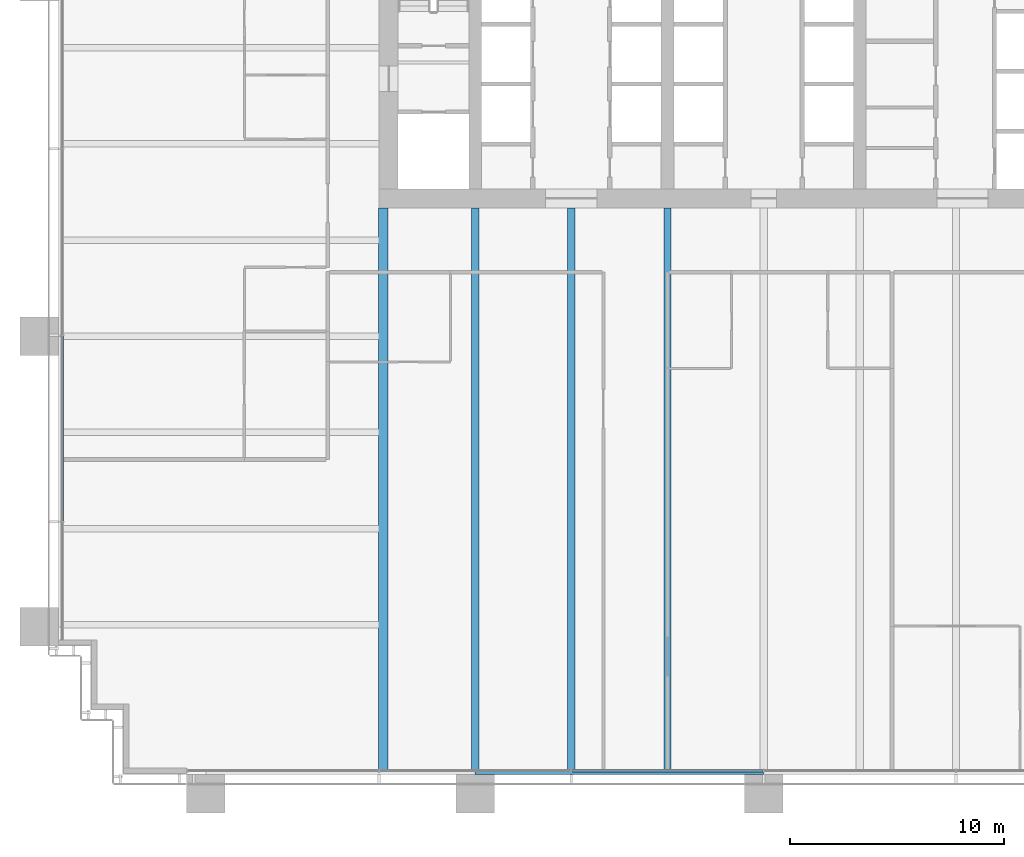
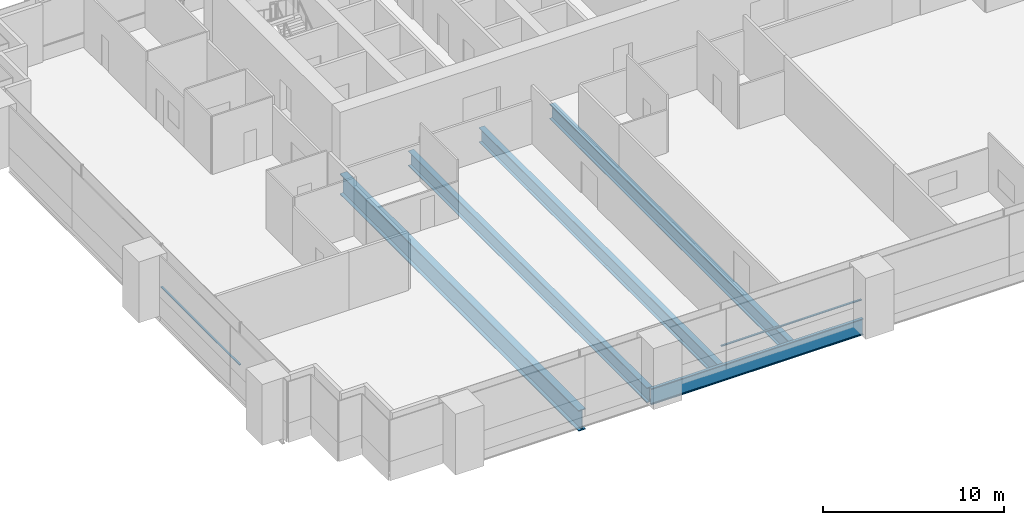
# One storey, part 3 of 19: 5 beams, 2 members, 2 elements without a shape of their own.
"""IFC4 building model written with IfcOpenShell, lengths in metres."""

from ifc_helpers import new_model, si_unit, direction, frame, origin, origin_2d, place, context, subcontext, project, spatial, rectangle, i_section, extrude, material, material_profile, profile_set, type_object, element, aggregate, save


model = new_model("IFC4")

# Units and contexts
model_context = context("Model", 3, precision=1e-05, world=origin(), true_north=direction((0.0, 1.0)))
body_context = subcontext(model_context, "Body", "Model", "MODEL_VIEW")
ifc_project = project(units=[si_unit("LENGTHUNIT", "METRE"), si_unit("AREAUNIT", "SQUARE_METRE"), si_unit("VOLUMEUNIT", "CUBIC_METRE"), si_unit("PLANEANGLEUNIT", "RADIAN"), si_unit("MASSUNIT", "GRAM", prefix="KILO")], contexts=[model_context])

# Site, building, storey
site_placement = place(None, origin())
site = spatial("IfcSite", under=ifc_project, at=site_placement, CompositionType="ELEMENT")
building_placement = place(site_placement, origin())
building = spatial("IfcBuilding", under=site, at=building_placement, Name="Rattan Terrace Tower", CompositionType="ELEMENT")
storey_placement = place(building_placement, frame((0.0, 0.0, 52.89990234375)))
storey = spatial("IfcBuildingStorey", under=building, at=storey_placement, Name="L11", CompositionType="ELEMENT", Elevation=52.89990234375)

# Curtain wall, member
ifc_material_1 = material(Name="Aluminium and glass", Category="aluminium")
curtain_wall_type = type_object("IfcCurtainWallType", Name="Facade Unitised Curtain Wall", PredefinedType="NOTDEFINED", material=ifc_material_1)
curtain_wall_1_placement = place(storey_placement, origin())
curtain_wall_1 = element("IfcCurtainWall", 1, at=curtain_wall_1_placement, inside=storey, type_object=curtain_wall_type, Name="Curtain wall L11-3", PredefinedType="NOTDEFINED")
ifc_material_2 = material(Name="Aluminium", Category="aluminium")
ifc_material_profile_1 = material_profile(ifc_material_2, rectangle(XDim=0.1201171875, YDim=0.06005859375, at=origin_2d()), Name="Aluminium 120x60")
ifc_profile_set_1 = profile_set([ifc_material_profile_1], Name="Aluminium")
member_type = type_object("IfcMemberType", Name="Facade CW Transom 120x60", PredefinedType="USERDEFINED", material=ifc_profile_set_1)
member_1_placement = place(storey_placement, frame((-32.830078125, -13.48388671875, 1.0), z_axis=(0.0, -1.0, 0.0), x_axis=(1.0, 0.0, 0.0)))
member_1 = element("IfcMember", 2, at=member_1_placement, type_object=member_type, Name="Transom cwl-L11-003.3", ObjectType="TRANSOM", PredefinedType="USERDEFINED", context=body_context, shape_type="SweptSolid", body=[
    extrude(rectangle(XDim=0.1201171875, YDim=0.06005859375, at=origin_2d()), origin(), (0.0, 0.0, 1.0), 8.6669921875),
])
aggregate(curtain_wall_1, [member_1])

curtain_wall_2_placement = place(storey_placement, origin())
curtain_wall_2 = element("IfcCurtainWall", 3, at=curtain_wall_2_placement, inside=storey, type_object=curtain_wall_type, Name="Curtain wall L11-4", PredefinedType="NOTDEFINED")
member_2_placement = place(storey_placement, frame((-8.969970703125, -33.830078125, 1.0), z_axis=(1.0, 0.0, 0.0), x_axis=(0.0, 1.0, 0.0)))
member_2 = element("IfcMember", 4, at=member_2_placement, type_object=member_type, Name="Transom cwl-L11-004.3", ObjectType="TRANSOM", PredefinedType="USERDEFINED", context=body_context, shape_type="SweptSolid", body=[
    extrude(rectangle(XDim=0.1201171875, YDim=0.06005859375, at=origin_2d()), origin(), (0.0, 0.0, 1.0), 8.93994140625),
])
aggregate(curtain_wall_2, [member_2])

# Beams
ifc_material_3 = material(Name="Steel S460", Category="steel")
ifc_material_profile_2 = material_profile(ifc_material_3, i_section(OverallWidth=0.449951171875, OverallDepth=1.39990234375, WebThickness=0.02197265625, FlangeThickness=0.054931640625, at=origin_2d()), Name="PG 1400x450-22-55")
ifc_profile_set_2 = profile_set([ifc_material_profile_2], Name="Steel S460")
beam_type_1 = type_object("IfcBeamType", Name="Frame core girder PG 1400x450-22-55", PredefinedType="BEAM", material=ifc_profile_set_2)
beam_1_placement = place(storey_placement, frame((-17.800048828125, -33.820068359375, -0.89990234375), z_axis=(0.0, 1.0, 0.0), x_axis=(-1.0, 0.0, 0.0)))
element("IfcBeam", 5, at=beam_1_placement, inside=storey, type_object=beam_type_1, Name="gdr-L11-013", PredefinedType="BEAM", context=body_context, shape_type="SweptSolid", body=[
    extrude(i_section(OverallWidth=0.449951171875, OverallDepth=1.39990234375, WebThickness=0.02197265625, FlangeThickness=0.054931640625, at=origin_2d()), origin(), (0.0, 0.0, 1.0), 26.320068359375),
])
ifc_material_4 = material(Name="Steel S460", Category="steel")
ifc_material_profile_3 = material_profile(ifc_material_4, i_section(OverallWidth=0.179931640625, OverallDepth=1.10009765625, WebThickness=0.01611328125, FlangeThickness=0.050048828125, at=origin_2d()), Name="PG 1100x180-16-50")
ifc_profile_set_3 = profile_set([ifc_material_profile_3], Name="Steel S460")
beam_type_2 = type_object("IfcBeamType", Name="Frame edge girder PG 1100x180-16-50", PredefinedType="SPANDREL", material=ifc_profile_set_3)
beam_2_placement = place(storey_placement, frame((-13.5, -33.909912109375, -0.75), z_axis=(1.0, 0.0, 0.0), x_axis=(0.0, 1.0, 0.0)))
element("IfcBeam", 6, at=beam_2_placement, inside=storey, type_object=beam_type_2, Name="gdr-L11-002", PredefinedType="SPANDREL", context=body_context, shape_type="SweptSolid", body=[
    extrude(i_section(OverallWidth=0.179931640625, OverallDepth=1.10009765625, WebThickness=0.01611328125, FlangeThickness=0.050048828125, at=origin_2d()), origin(), (0.0, 0.0, 1.0), 13.5),
])
ifc_material_5 = material(Name="Steel S460", Category="steel")
ifc_material_profile_4 = material_profile(ifc_material_5, i_section(OverallWidth=0.35009765625, OverallDepth=1.0, WebThickness=0.01611328125, FlangeThickness=0.044921875, at=origin_2d()), Name="PG 1000x350-16-45")
ifc_profile_set_4 = profile_set([ifc_material_profile_4], Name="Steel S460")
beam_type_3 = type_object("IfcBeamType", Name="Frame floor beam PG 1000x350-16-45", PredefinedType="JOIST", material=ifc_profile_set_4)
for number, where, z_axis, x_axis, name in (
    (7, (-13.5, -33.820068359375, -0.699951171875), (0.0, 1.0, 0.0), (-1.0, 0.0, 0.0), "bm-L11-003"),
    (8, (-9.0, -33.820068359375, -0.699951171875), (0.0, 1.0, 0.0), (-1.0, 0.0, 0.0), "bm-L11-004"),
    (9, (-4.5, -33.820068359375, -0.699951171875), (0.0, 1.0, 0.0), (-1.0, 0.0, 0.0), "bm-L11-005"),
):
    element("IfcBeam", number, at=place(storey_placement, frame(where, z_axis=z_axis, x_axis=x_axis)), inside=storey, type_object=beam_type_3, Name=name, PredefinedType="JOIST", context=body_context, shape_type="SweptSolid", body=[
        extrude(i_section(OverallWidth=0.35009765625, OverallDepth=1.0, WebThickness=0.01611328125, FlangeThickness=0.044921875, at=origin_2d()), origin(), (0.0, 0.0, 1.0), 26.320068359375),
    ])

save(model, "model.ifc")
